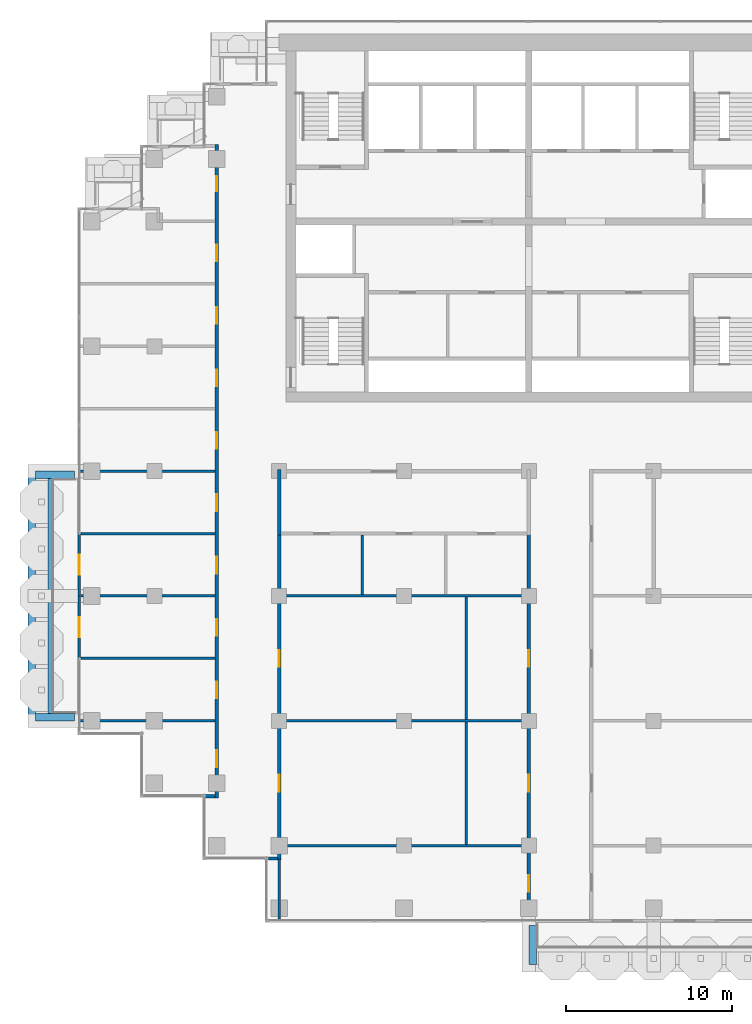
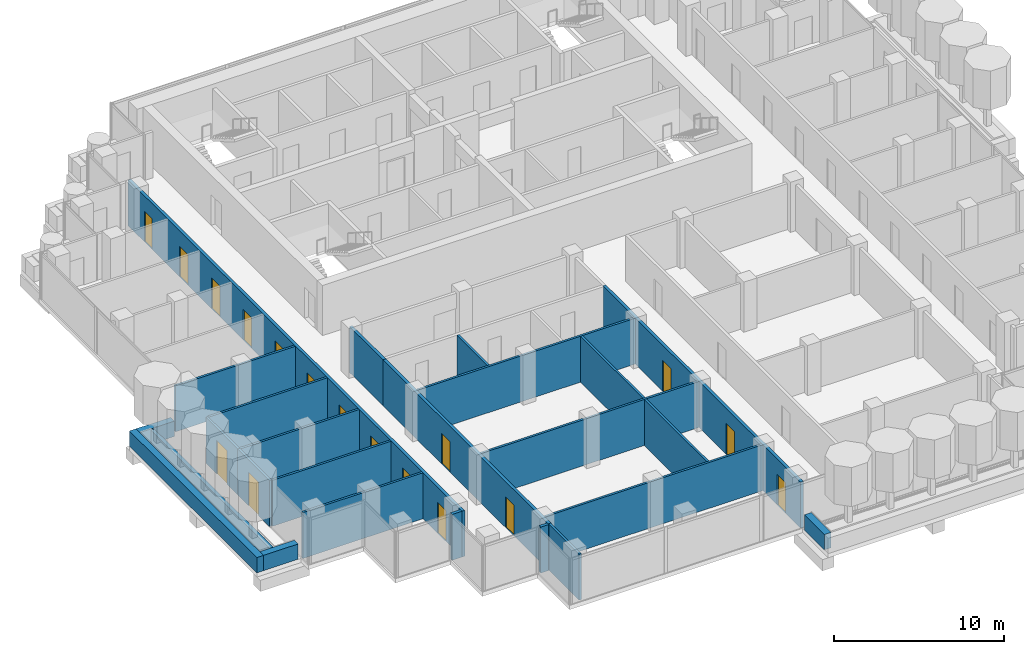
# One storey, part 11 of 19: 24 walls, 17 doors, 17 openings.
"""IFC4 building model written with IfcOpenShell, lengths in metres."""

from ifc_helpers import new_model, si_unit, direction, frame, frame_2d, origin, place, context, subcontext, project, spatial, rectangle, extrude, material, layer, layer_set, type_object, element, fill, save


model = new_model("IFC4")

# Units and contexts
model_context = context("Model", 3, precision=1e-05, world=origin(), true_north=direction((0.0, 1.0)))
body_context = subcontext(model_context, "Body", "Model", "MODEL_VIEW")
ifc_project = project(units=[si_unit("LENGTHUNIT", "METRE"), si_unit("AREAUNIT", "SQUARE_METRE"), si_unit("VOLUMEUNIT", "CUBIC_METRE"), si_unit("PLANEANGLEUNIT", "RADIAN"), si_unit("MASSUNIT", "GRAM", prefix="KILO")], contexts=[model_context])

# Site, building, storey
site_placement = place(None, origin())
site = spatial("IfcSite", under=ifc_project, at=site_placement, CompositionType="ELEMENT")
building_placement = place(site_placement, origin())
building = spatial("IfcBuilding", under=site, at=building_placement, Name="Pilkhan Gate Tower", CompositionType="ELEMENT")
storey_placement = place(building_placement, frame((0.0, 0.0, 224.699951171875)))
storey = spatial("IfcBuildingStorey", under=building, at=storey_placement, Name="L58", CompositionType="ELEMENT", Elevation=224.699951171875)

# Walls
ifc_material_1 = material(Name="Concrete C40/50", Category="concrete")
ifc_layer_1 = layer(ifc_material_1, 0.25)
ifc_layer_set_1 = layer_set([ifc_layer_1], Name="Balcony planter BP250")
wall_type_1 = type_object("IfcWallType", Name="Balcony planter BP250", PredefinedType="USERDEFINED", material=ifc_layer_set_1)
wall_1_placement = place(storey_placement, frame((46.22509765625, 52.949951171875, 0.0), z_axis=(0.0, 0.0, 1.0), x_axis=(0.0, 1.0, 0.0)))
element("IfcWall", 1, at=wall_1_placement, inside=storey, type_object=wall_type_1, Name="Balcony planter L58 W", ObjectType="BALCONY PLANTER", PredefinedType="USERDEFINED", context=body_context, shape_type="SweptSolid", body=[
    extrude(rectangle(XDim=14.10009765625, YDim=0.25, at=frame_2d((7.050048828125, 0.0))), origin(), (0.0, 0.0, 1.0), 1.0),
])
ifc_material_2 = material(Name="Board-marked Concrete C40/50", Category="concrete")
ifc_layer_2 = layer(ifc_material_2, 0.449951171875)
ifc_layer_set_2 = layer_set([ifc_layer_2], Name="Balcony planter lip BL450")
wall_type_2 = type_object("IfcWallType", Name="Balcony planter lip BL450", PredefinedType="USERDEFINED", material=ifc_layer_set_2)
wall_2_placement = place(storey_placement, frame((75.22509765625, 40.199951171875, 0.0), z_axis=(0.0, 0.0, 1.0), x_axis=(0.0, -1.0, 0.0)))
element("IfcWall", 2, at=wall_2_placement, inside=storey, type_object=wall_type_2, Name="Balcony planter L58 S", ObjectType="BALCONY PLANTER", PredefinedType="USERDEFINED", context=body_context, shape_type="SweptSolid", body=[
    extrude(rectangle(XDim=2.349853515625, YDim=0.449951171875, at=frame_2d((1.1748046875, 0.0))), origin(), (0.0, 0.0, 1.0), 1.10009765625),
])
wall_3_placement = place(storey_placement, frame((45.125, 52.5, 0.0), z_axis=(0.0, 0.0, 1.0), x_axis=(0.0, 1.0, 0.0)))
element("IfcWall", 3, at=wall_3_placement, inside=storey, type_object=wall_type_2, Name="Balcony planter L58 W", ObjectType="BALCONY PLANTER", PredefinedType="USERDEFINED", context=body_context, shape_type="SweptSolid", body=[
    extrude(rectangle(XDim=15.0, YDim=0.449951171875, at=frame_2d((7.5, 0.0))), origin(), (0.0, 0.0, 1.0), 1.10009765625),
])
for number, where, z_axis, x_axis, name in (
    (4, (47.699951171875, 52.72509765625, 0.0), (0.0, 0.0, 1.0), (-1.0, 0.0, 0.0), "Balcony planter L58 W"),
    (5, (47.699951171875, 67.27490234375, 0.0), (0.0, 0.0, 1.0), (-1.0, 0.0, 0.0), "Balcony planter L58 W"),
):
    element("IfcWall", number, at=place(storey_placement, frame(where, z_axis=z_axis, x_axis=x_axis)), inside=storey, type_object=wall_type_2, Name=name, ObjectType="BALCONY PLANTER", PredefinedType="USERDEFINED", context=body_context, shape_type="SweptSolid", body=[
        extrude(rectangle(XDim=2.349853515625, YDim=0.449951171875, at=frame_2d((1.1748046875, 0.0))), origin(), (0.0, 0.0, 1.0), 1.10009765625),
    ])
ifc_material_3 = material(Name="Dense blockwork", Category="masonry")
ifc_layer_3 = layer(ifc_material_3, 0.199951171875)
ifc_layer_set_3 = layer_set([ifc_layer_3], Name="Corridor wall FW200")
wall_type_3 = type_object("IfcWallType", Name="Corridor wall FW200", PredefinedType="PARTITIONING", material=ifc_layer_set_3)
wall_4_placement = place(storey_placement, frame((59.35498046875, 44.235107421875, 0.0), z_axis=(0.0, 0.0, 1.0), x_axis=(1.0, 0.0, 0.0)))
element("IfcWall", 6, at=wall_4_placement, inside=storey, type_object=wall_type_3, Name="Partition L58", PredefinedType="PARTITIONING", context=body_context, shape_type="SweptSolid", body=[
    extrude(rectangle(XDim=0.544921875, YDim=0.199951171875, at=frame_2d((0.2724609375, 0.0))), origin(), (0.0, 0.0, 1.0), 3.300048828125),
])
wall_5_placement = place(storey_placement, frame((55.485107421875, 47.969970703125, 0.0), z_axis=(0.0, 0.0, 1.0), x_axis=(1.0, 0.0, 0.0)))
element("IfcWall", 7, at=wall_5_placement, inside=storey, type_object=wall_type_3, Name="Partition L58", PredefinedType="PARTITIONING", context=body_context, shape_type="SweptSolid", body=[
    extrude(rectangle(XDim=0.664794921875, YDim=0.199951171875, at=frame_2d((0.33251953125, 0.0))), origin(), (0.0, 0.0, 1.0), 3.300048828125),
])

# Wall, openings, doors
wall_6_placement = place(storey_placement, frame((56.25, 47.8701171875, 0.0), z_axis=(0.0, 0.0, 1.0), x_axis=(0.0, 1.0, 0.0)))
wall_6 = element("IfcWall", 8, at=wall_6_placement, inside=storey, type_object=wall_type_3, Name="Partition L58", PredefinedType="PARTITIONING", context=body_context, shape_type="SweptSolid", body=[
    extrude(rectangle(XDim=39.259765625, YDim=0.199951171875, at=frame_2d((19.6298828125, 0.0))), origin(), (0.0, 0.0, 1.0), 3.300048828125),
])
opening_1_placement = place(wall_6_placement, frame((1.85009765625, 0.0, 0.0)))
opening_1 = element("IfcOpeningElement", 9, at=opening_1_placement, cuts=wall_6, Name="Opening L58-26", PredefinedType="OPENING", context=body_context, shape_type="SweptSolid", body=[
    extrude(rectangle(XDim=1.0, YDim=2.199951171875, at=frame_2d((0.5, 1.10009765625))), frame((0.0, 0.10986328125, 0.0), z_axis=(0.0, -1.0, 0.0), x_axis=(1.0, 0.0, 0.0)), (0.0, 0.0, 1.0), 0.219970703125),
])
opening_2_placement = place(wall_6_placement, frame((5.97998046875, 0.0, 0.0)))
opening_2 = element("IfcOpeningElement", 10, at=opening_2_placement, cuts=wall_6, Name="Opening L58-27", PredefinedType="OPENING", context=body_context, shape_type="SweptSolid", body=[
    extrude(rectangle(XDim=1.0, YDim=2.199951171875, at=frame_2d((0.5, 1.10009765625))), frame((0.0, 0.10986328125, 0.0), z_axis=(0.0, -1.0, 0.0), x_axis=(1.0, 0.0, 0.0)), (0.0, 0.0, 1.0), 0.219970703125),
])
opening_3_placement = place(wall_6_placement, frame((9.72998046875, 0.0, 0.0)))
opening_3 = element("IfcOpeningElement", 11, at=opening_3_placement, cuts=wall_6, Name="Opening L58-28", PredefinedType="OPENING", context=body_context, shape_type="SweptSolid", body=[
    extrude(rectangle(XDim=1.0, YDim=2.199951171875, at=frame_2d((0.5, 1.10009765625))), frame((0.0, 0.10986328125, 0.0), z_axis=(0.0, -1.0, 0.0), x_axis=(1.0, 0.0, 0.0)), (0.0, 0.0, 1.0), 0.219970703125),
])
opening_4_placement = place(wall_6_placement, frame((13.47998046875, 0.0, 0.0)))
opening_4 = element("IfcOpeningElement", 12, at=opening_4_placement, cuts=wall_6, Name="Opening L58-29", PredefinedType="OPENING", context=body_context, shape_type="SweptSolid", body=[
    extrude(rectangle(XDim=1.0, YDim=2.199951171875, at=frame_2d((0.5, 1.10009765625))), frame((0.0, 0.10986328125, 0.0), z_axis=(0.0, -1.0, 0.0), x_axis=(1.0, 0.0, 0.0)), (0.0, 0.0, 1.0), 0.219970703125),
])
opening_5_placement = place(wall_6_placement, frame((17.22998046875, 0.0, 0.0)))
opening_5 = element("IfcOpeningElement", 13, at=opening_5_placement, cuts=wall_6, Name="Opening L58-30", PredefinedType="OPENING", context=body_context, shape_type="SweptSolid", body=[
    extrude(rectangle(XDim=1.0, YDim=2.199951171875, at=frame_2d((0.5, 1.10009765625))), frame((0.0, 0.10986328125, 0.0), z_axis=(0.0, -1.0, 0.0), x_axis=(1.0, 0.0, 0.0)), (0.0, 0.0, 1.0), 0.219970703125),
])
opening_6_placement = place(wall_6_placement, frame((20.97998046875, 0.0, 0.0)))
opening_6 = element("IfcOpeningElement", 14, at=opening_6_placement, cuts=wall_6, Name="Opening L58-31", PredefinedType="OPENING", context=body_context, shape_type="SweptSolid", body=[
    extrude(rectangle(XDim=1.0, YDim=2.199951171875, at=frame_2d((0.5, 1.10009765625))), frame((0.0, 0.10986328125, 0.0), z_axis=(0.0, -1.0, 0.0), x_axis=(1.0, 0.0, 0.0)), (0.0, 0.0, 1.0), 0.219970703125),
])
opening_7_placement = place(wall_6_placement, frame((24.72998046875, 0.0, 0.0)))
opening_7 = element("IfcOpeningElement", 15, at=opening_7_placement, cuts=wall_6, Name="Opening L58-32", PredefinedType="OPENING", context=body_context, shape_type="SweptSolid", body=[
    extrude(rectangle(XDim=1.0, YDim=2.199951171875, at=frame_2d((0.5, 1.10009765625))), frame((0.0, 0.10986328125, 0.0), z_axis=(0.0, -1.0, 0.0), x_axis=(1.0, 0.0, 0.0)), (0.0, 0.0, 1.0), 0.219970703125),
])
opening_8_placement = place(wall_6_placement, frame((28.47998046875, 0.0, 0.0)))
opening_8 = element("IfcOpeningElement", 16, at=opening_8_placement, cuts=wall_6, Name="Opening L58-40", PredefinedType="OPENING", context=body_context, shape_type="SweptSolid", body=[
    extrude(rectangle(XDim=1.0, YDim=2.199951171875, at=frame_2d((0.5, 1.10009765625))), frame((0.0, 0.10986328125, 0.0), z_axis=(0.0, -1.0, 0.0), x_axis=(1.0, 0.0, 0.0)), (0.0, 0.0, 1.0), 0.219970703125),
])
opening_9_placement = place(wall_6_placement, frame((32.22998046875, 0.0, 0.0)))
opening_9 = element("IfcOpeningElement", 17, at=opening_9_placement, cuts=wall_6, Name="Opening L58-41", PredefinedType="OPENING", context=body_context, shape_type="SweptSolid", body=[
    extrude(rectangle(XDim=1.0, YDim=2.199951171875, at=frame_2d((0.5, 1.10009765625))), frame((0.0, 0.10986328125, 0.0), z_axis=(0.0, -1.0, 0.0), x_axis=(1.0, 0.0, 0.0)), (0.0, 0.0, 1.0), 0.219970703125),
])
opening_10_placement = place(wall_6_placement, frame((36.429931640625, 0.0, 0.0)))
opening_10 = element("IfcOpeningElement", 18, at=opening_10_placement, cuts=wall_6, Name="Opening L58-42", PredefinedType="OPENING", context=body_context, shape_type="SweptSolid", body=[
    extrude(rectangle(XDim=0.89990234375, YDim=2.199951171875, at=frame_2d((0.449951171875, 1.10009765625))), frame((0.0, 0.10986328125, 0.0), z_axis=(0.0, -1.0, 0.0), x_axis=(1.0, 0.0, 0.0)), (0.0, 0.0, 1.0), 0.219970703125),
])
ifc_material_4 = material(Name="Timber flush door, 30 minute fire resisting", Category="wood")
door_type_1 = type_object("IfcDoorType", Name="Room door D03 1000x2200", OperationType="SINGLE_SWING_LEFT", PredefinedType="DOOR", material=ifc_material_4)
door_1_placement = place(opening_1_placement, origin())
door_1 = element("IfcDoor", 19, at=door_1_placement, inside=storey, type_object=door_type_1, Name="Room door", OperationType="SINGLE_SWING_LEFT", OverallHeight=2.199951171875, OverallWidth=1.0, PredefinedType="DOOR", context=body_context, shape_type="SweptSolid", body=[
    extrude(rectangle(XDim=1.0, YDim=2.199951171875, at=frame_2d((0.5, 1.10009765625))), frame((0.0, 0.02490234375, 0.0), z_axis=(0.0, -1.0, 0.0), x_axis=(1.0, 0.0, 0.0)), (0.0, 0.0, 1.0), 0.050048828125),
])
fill(opening_1, door_1)
door_2_placement = place(opening_2_placement, origin())
door_2 = element("IfcDoor", 20, at=door_2_placement, inside=storey, type_object=door_type_1, Name="Room door", OperationType="SINGLE_SWING_LEFT", OverallHeight=2.199951171875, OverallWidth=1.0, PredefinedType="DOOR", context=body_context, shape_type="SweptSolid", body=[
    extrude(rectangle(XDim=1.0, YDim=2.199951171875, at=frame_2d((0.5, 1.10009765625))), frame((0.0, 0.02490234375, 0.0), z_axis=(0.0, -1.0, 0.0), x_axis=(1.0, 0.0, 0.0)), (0.0, 0.0, 1.0), 0.050048828125),
])
fill(opening_2, door_2)
door_3_placement = place(opening_3_placement, origin())
door_3 = element("IfcDoor", 21, at=door_3_placement, inside=storey, type_object=door_type_1, Name="Room door", OperationType="SINGLE_SWING_LEFT", OverallHeight=2.199951171875, OverallWidth=1.0, PredefinedType="DOOR", context=body_context, shape_type="SweptSolid", body=[
    extrude(rectangle(XDim=1.0, YDim=2.199951171875, at=frame_2d((0.5, 1.10009765625))), frame((0.0, 0.02490234375, 0.0), z_axis=(0.0, -1.0, 0.0), x_axis=(1.0, 0.0, 0.0)), (0.0, 0.0, 1.0), 0.050048828125),
])
fill(opening_3, door_3)
door_4_placement = place(opening_4_placement, origin())
door_4 = element("IfcDoor", 22, at=door_4_placement, inside=storey, type_object=door_type_1, Name="Room door", OperationType="SINGLE_SWING_LEFT", OverallHeight=2.199951171875, OverallWidth=1.0, PredefinedType="DOOR", context=body_context, shape_type="SweptSolid", body=[
    extrude(rectangle(XDim=1.0, YDim=2.199951171875, at=frame_2d((0.5, 1.10009765625))), frame((0.0, 0.02490234375, 0.0), z_axis=(0.0, -1.0, 0.0), x_axis=(1.0, 0.0, 0.0)), (0.0, 0.0, 1.0), 0.050048828125),
])
fill(opening_4, door_4)
door_5_placement = place(opening_5_placement, origin())
door_5 = element("IfcDoor", 23, at=door_5_placement, inside=storey, type_object=door_type_1, Name="Room door", OperationType="SINGLE_SWING_LEFT", OverallHeight=2.199951171875, OverallWidth=1.0, PredefinedType="DOOR", context=body_context, shape_type="SweptSolid", body=[
    extrude(rectangle(XDim=1.0, YDim=2.199951171875, at=frame_2d((0.5, 1.10009765625))), frame((0.0, 0.02490234375, 0.0), z_axis=(0.0, -1.0, 0.0), x_axis=(1.0, 0.0, 0.0)), (0.0, 0.0, 1.0), 0.050048828125),
])
fill(opening_5, door_5)
door_6_placement = place(opening_6_placement, origin())
door_6 = element("IfcDoor", 24, at=door_6_placement, inside=storey, type_object=door_type_1, Name="Room door", OperationType="SINGLE_SWING_LEFT", OverallHeight=2.199951171875, OverallWidth=1.0, PredefinedType="DOOR", context=body_context, shape_type="SweptSolid", body=[
    extrude(rectangle(XDim=1.0, YDim=2.199951171875, at=frame_2d((0.5, 1.10009765625))), frame((0.0, 0.02490234375, 0.0), z_axis=(0.0, -1.0, 0.0), x_axis=(1.0, 0.0, 0.0)), (0.0, 0.0, 1.0), 0.050048828125),
])
fill(opening_6, door_6)
door_7_placement = place(opening_7_placement, origin())
door_7 = element("IfcDoor", 25, at=door_7_placement, inside=storey, type_object=door_type_1, Name="Room door", OperationType="SINGLE_SWING_LEFT", OverallHeight=2.199951171875, OverallWidth=1.0, PredefinedType="DOOR", context=body_context, shape_type="SweptSolid", body=[
    extrude(rectangle(XDim=1.0, YDim=2.199951171875, at=frame_2d((0.5, 1.10009765625))), frame((0.0, 0.02490234375, 0.0), z_axis=(0.0, -1.0, 0.0), x_axis=(1.0, 0.0, 0.0)), (0.0, 0.0, 1.0), 0.050048828125),
])
fill(opening_7, door_7)
door_8_placement = place(opening_8_placement, origin())
door_8 = element("IfcDoor", 26, at=door_8_placement, inside=storey, type_object=door_type_1, Name="Room door", OperationType="SINGLE_SWING_LEFT", OverallHeight=2.199951171875, OverallWidth=1.0, PredefinedType="DOOR", context=body_context, shape_type="SweptSolid", body=[
    extrude(rectangle(XDim=1.0, YDim=2.199951171875, at=frame_2d((0.5, 1.10009765625))), frame((0.0, 0.02490234375, 0.0), z_axis=(0.0, -1.0, 0.0), x_axis=(1.0, 0.0, 0.0)), (0.0, 0.0, 1.0), 0.050048828125),
])
fill(opening_8, door_8)
door_9_placement = place(opening_9_placement, origin())
door_9 = element("IfcDoor", 27, at=door_9_placement, inside=storey, type_object=door_type_1, Name="Room door", OperationType="SINGLE_SWING_RIGHT", OverallHeight=2.199951171875, OverallWidth=1.0, PredefinedType="DOOR", context=body_context, shape_type="SweptSolid", body=[
    extrude(rectangle(XDim=1.0, YDim=2.199951171875, at=frame_2d((0.5, 1.10009765625))), frame((0.0, 0.02490234375, 0.0), z_axis=(0.0, -1.0, 0.0), x_axis=(1.0, 0.0, 0.0)), (0.0, 0.0, 1.0), 0.050048828125),
])
fill(opening_9, door_9)
ifc_material_5 = material(Name="Timber flush door, 60 minute fire resisting, self-closing", Category="wood")
door_type_2 = type_object("IfcDoorType", Name="Store door D05 900x2200", OperationType="SINGLE_SWING_LEFT", PredefinedType="DOOR", material=ifc_material_5)
door_10_placement = place(opening_10_placement, origin())
door_10 = element("IfcDoor", 28, at=door_10_placement, inside=storey, type_object=door_type_2, Name="Store door", OperationType="SINGLE_SWING_RIGHT", OverallHeight=2.199951171875, OverallWidth=0.89990234375, PredefinedType="DOOR", context=body_context, shape_type="SweptSolid", body=[
    extrude(rectangle(XDim=0.89990234375, YDim=2.199951171875, at=frame_2d((0.449951171875, 1.10009765625))), frame((0.0, 0.02490234375, 0.0), z_axis=(0.0, -1.0, 0.0), x_axis=(1.0, 0.0, 0.0)), (0.0, 0.0, 1.0), 0.050048828125),
])
fill(opening_10, door_10)

wall_7_placement = place(storey_placement, frame((60.0, 44.135009765625, 0.0), z_axis=(0.0, 0.0, 1.0), x_axis=(0.0, 1.0, 0.0)))
wall_7 = element("IfcWall", 29, at=wall_7_placement, inside=storey, type_object=wall_type_3, Name="Partition L58", PredefinedType="PARTITIONING", context=body_context, shape_type="SweptSolid", body=[
    extrude(rectangle(XDim=19.614990234375, YDim=0.199951171875, at=frame_2d((9.8076171875, 0.0))), origin(), (0.0, 0.0, 1.0), 3.300048828125),
])
opening_11_placement = place(wall_7_placement, frame((4.114990234375, 0.0, 0.0)))
opening_11 = element("IfcOpeningElement", 30, at=opening_11_placement, cuts=wall_7, Name="Opening L58-17", PredefinedType="OPENING", context=body_context, shape_type="SweptSolid", body=[
    extrude(rectangle(XDim=1.0, YDim=2.199951171875, at=frame_2d((0.5, 1.10009765625))), frame((0.0, 0.10986328125, 0.0), z_axis=(0.0, -1.0, 0.0), x_axis=(1.0, 0.0, 0.0)), (0.0, 0.0, 1.0), 0.219970703125),
])
opening_12_placement = place(wall_7_placement, frame((11.614990234375, 0.0, 0.0)))
opening_12 = element("IfcOpeningElement", 31, at=opening_12_placement, cuts=wall_7, Name="Opening L58-19", PredefinedType="OPENING", context=body_context, shape_type="SweptSolid", body=[
    extrude(rectangle(XDim=1.0, YDim=2.199951171875, at=frame_2d((0.5, 1.10009765625))), frame((0.0, 0.10986328125, 0.0), z_axis=(0.0, -1.0, 0.0), x_axis=(1.0, 0.0, 0.0)), (0.0, 0.0, 1.0), 0.219970703125),
])
door_11_placement = place(opening_11_placement, origin())
door_11 = element("IfcDoor", 32, at=door_11_placement, inside=storey, type_object=door_type_1, Name="Room door", OperationType="SINGLE_SWING_LEFT", OverallHeight=2.199951171875, OverallWidth=1.0, PredefinedType="DOOR", context=body_context, shape_type="SweptSolid", body=[
    extrude(rectangle(XDim=1.0, YDim=2.199951171875, at=frame_2d((0.5, 1.10009765625))), frame((0.0, 0.02490234375, 0.0), z_axis=(0.0, -1.0, 0.0), x_axis=(1.0, 0.0, 0.0)), (0.0, 0.0, 1.0), 0.050048828125),
])
fill(opening_11, door_11)
door_12_placement = place(opening_12_placement, origin())
door_12 = element("IfcDoor", 33, at=door_12_placement, inside=storey, type_object=door_type_1, Name="Room door", OperationType="SINGLE_SWING_LEFT", OverallHeight=2.199951171875, OverallWidth=1.0, PredefinedType="DOOR", context=body_context, shape_type="SweptSolid", body=[
    extrude(rectangle(XDim=1.0, YDim=2.199951171875, at=frame_2d((0.5, 1.10009765625))), frame((0.0, 0.02490234375, 0.0), z_axis=(0.0, -1.0, 0.0), x_axis=(1.0, 0.0, 0.0)), (0.0, 0.0, 1.0), 0.050048828125),
])
fill(opening_12, door_12)

wall_8_placement = place(storey_placement, frame((75.0, 40.485107421875, 0.0), z_axis=(0.0, 0.0, 1.0), x_axis=(0.0, 1.0, 0.0)))
wall_8 = element("IfcWall", 34, at=wall_8_placement, inside=storey, type_object=wall_type_3, Name="Partition L58", PredefinedType="PARTITIONING", context=body_context, shape_type="SweptSolid", body=[
    extrude(rectangle(XDim=23.264892578125, YDim=0.199951171875, at=frame_2d((11.63232421875, 0.0))), origin(), (0.0, 0.0, 1.0), 3.300048828125),
])
opening_13_placement = place(wall_8_placement, frame((1.75, 0.0, 0.0)))
opening_13 = element("IfcOpeningElement", 35, at=opening_13_placement, cuts=wall_8, Name="Opening L58-16", PredefinedType="OPENING", context=body_context, shape_type="SweptSolid", body=[
    extrude(rectangle(XDim=1.0, YDim=2.199951171875, at=frame_2d((0.5, 1.10009765625))), frame((0.0, 0.10986328125, 0.0), z_axis=(0.0, -1.0, 0.0), x_axis=(1.0, 0.0, 0.0)), (0.0, 0.0, 1.0), 0.219970703125),
])
opening_14_placement = place(wall_8_placement, frame((7.764892578125, 0.0, 0.0)))
opening_14 = element("IfcOpeningElement", 36, at=opening_14_placement, cuts=wall_8, Name="Opening L58-18", PredefinedType="OPENING", context=body_context, shape_type="SweptSolid", body=[
    extrude(rectangle(XDim=1.0, YDim=2.199951171875, at=frame_2d((0.5, 1.10009765625))), frame((0.0, 0.10986328125, 0.0), z_axis=(0.0, -1.0, 0.0), x_axis=(1.0, 0.0, 0.0)), (0.0, 0.0, 1.0), 0.219970703125),
])
opening_15_placement = place(wall_8_placement, frame((15.264892578125, 0.0, 0.0)))
opening_15 = element("IfcOpeningElement", 37, at=opening_15_placement, cuts=wall_8, Name="Opening L58-20", PredefinedType="OPENING", context=body_context, shape_type="SweptSolid", body=[
    extrude(rectangle(XDim=1.0, YDim=2.199951171875, at=frame_2d((0.5, 1.10009765625))), frame((0.0, 0.10986328125, 0.0), z_axis=(0.0, -1.0, 0.0), x_axis=(1.0, 0.0, 0.0)), (0.0, 0.0, 1.0), 0.219970703125),
])
door_13_placement = place(opening_13_placement, origin())
door_13 = element("IfcDoor", 38, at=door_13_placement, inside=storey, type_object=door_type_1, Name="Room door", OperationType="SINGLE_SWING_LEFT", OverallHeight=2.199951171875, OverallWidth=1.0, PredefinedType="DOOR", context=body_context, shape_type="SweptSolid", body=[
    extrude(rectangle(XDim=1.0, YDim=2.199951171875, at=frame_2d((0.5, 1.10009765625))), frame((0.0, 0.02490234375, 0.0), z_axis=(0.0, -1.0, 0.0), x_axis=(1.0, 0.0, 0.0)), (0.0, 0.0, 1.0), 0.050048828125),
])
fill(opening_13, door_13)
door_14_placement = place(opening_14_placement, origin())
door_14 = element("IfcDoor", 39, at=door_14_placement, inside=storey, type_object=door_type_1, Name="Room door", OperationType="SINGLE_SWING_LEFT", OverallHeight=2.199951171875, OverallWidth=1.0, PredefinedType="DOOR", context=body_context, shape_type="SweptSolid", body=[
    extrude(rectangle(XDim=1.0, YDim=2.199951171875, at=frame_2d((0.5, 1.10009765625))), frame((0.0, 0.02490234375, 0.0), z_axis=(0.0, -1.0, 0.0), x_axis=(1.0, 0.0, 0.0)), (0.0, 0.0, 1.0), 0.050048828125),
])
fill(opening_14, door_14)
door_15_placement = place(opening_15_placement, origin())
door_15 = element("IfcDoor", 40, at=door_15_placement, inside=storey, type_object=door_type_1, Name="Room door", OperationType="SINGLE_SWING_LEFT", OverallHeight=2.199951171875, OverallWidth=1.0, PredefinedType="DOOR", context=body_context, shape_type="SweptSolid", body=[
    extrude(rectangle(XDim=1.0, YDim=2.199951171875, at=frame_2d((0.5, 1.10009765625))), frame((0.0, 0.02490234375, 0.0), z_axis=(0.0, -1.0, 0.0), x_axis=(1.0, 0.0, 0.0)), (0.0, 0.0, 1.0), 0.050048828125),
])
fill(opening_15, door_15)

# Wall, opening, door
ifc_material_6 = material(Name="Pale anodised aluminium, clear laminated glazing", Category="aluminium")
ifc_layer_4 = layer(ifc_material_6, 0.14990234375)
ifc_layer_set_4 = layer_set([ifc_layer_4], Name="Facade infill wall IW150")
wall_type_4 = type_object("IfcWallType", Name="Facade infill wall IW150", PredefinedType="SOLIDWALL", material=ifc_layer_set_4)
wall_9_placement = place(storey_placement, frame((48.0, 56.25, 0.0), z_axis=(0.0, 0.0, 1.0), x_axis=(0.0, 1.0, 0.0)))
wall_9 = element("IfcWall", 41, at=wall_9_placement, inside=storey, type_object=wall_type_4, Name="Infill wall L58 W", PredefinedType="SOLIDWALL", context=body_context, shape_type="SweptSolid", body=[
    extrude(rectangle(XDim=3.75, YDim=0.14990234375, at=frame_2d((1.875, 0.0))), origin(), (0.0, 0.0, 1.0), 3.300048828125),
])
opening_16_placement = place(wall_9_placement, frame((1.27490234375, 0.0, 0.0)))
opening_16 = element("IfcOpeningElement", 42, at=opening_16_placement, cuts=wall_9, Name="Opening D1", PredefinedType="OPENING", context=body_context, shape_type="SweptSolid", body=[
    extrude(rectangle(XDim=1.199951171875, YDim=2.39990234375, at=frame_2d((0.60009765625, 1.199951171875))), frame((0.0, 0.0849609375, 0.0), z_axis=(0.0, -1.0, 0.0), x_axis=(1.0, 0.0, 0.0)), (0.0, 0.0, 1.0), 0.169921875),
])
ifc_material_7 = material(Name="Pale anodised aluminium, clear glazing", Category="aluminium")
door_type_3 = type_object("IfcDoorType", Name="Balcony door D1 1200x2400", OperationType="SINGLE_SWING_LEFT", PredefinedType="DOOR", material=ifc_material_7)
door_16_placement = place(opening_16_placement, origin())
door_16 = element("IfcDoor", 43, at=door_16_placement, inside=storey, type_object=door_type_3, Name="Balcony door L58", OperationType="SINGLE_SWING_LEFT", OverallHeight=2.39990234375, OverallWidth=1.199951171875, PredefinedType="DOOR", context=body_context, shape_type="SweptSolid", body=[
    extrude(rectangle(XDim=1.199951171875, YDim=2.39990234375, at=frame_2d((0.60009765625, 1.199951171875))), frame((0.0, 0.02490234375, 0.0), z_axis=(0.0, -1.0, 0.0), x_axis=(1.0, 0.0, 0.0)), (0.0, 0.0, 1.0), 0.050048828125),
])
fill(opening_16, door_16)

wall_10_placement = place(storey_placement, frame((48.0, 60.0, 0.0), z_axis=(0.0, 0.0, 1.0), x_axis=(0.0, 1.0, 0.0)))
wall_10 = element("IfcWall", 44, at=wall_10_placement, inside=storey, type_object=wall_type_4, Name="Infill wall L58 W", PredefinedType="SOLIDWALL", context=body_context, shape_type="SweptSolid", body=[
    extrude(rectangle(XDim=3.75, YDim=0.14990234375, at=frame_2d((1.875, 0.0))), origin(), (0.0, 0.0, 1.0), 3.300048828125),
])
opening_17_placement = place(wall_10_placement, frame((1.27490234375, 0.0, 0.0)))
opening_17 = element("IfcOpeningElement", 45, at=opening_17_placement, cuts=wall_10, Name="Opening D1", PredefinedType="OPENING", context=body_context, shape_type="SweptSolid", body=[
    extrude(rectangle(XDim=1.199951171875, YDim=2.39990234375, at=frame_2d((0.60009765625, 1.199951171875))), frame((0.0, 0.0849609375, 0.0), z_axis=(0.0, -1.0, 0.0), x_axis=(1.0, 0.0, 0.0)), (0.0, 0.0, 1.0), 0.169921875),
])
door_17_placement = place(opening_17_placement, origin())
door_17 = element("IfcDoor", 46, at=door_17_placement, inside=storey, type_object=door_type_3, Name="Balcony door L58", OperationType="SINGLE_SWING_LEFT", OverallHeight=2.39990234375, OverallWidth=1.199951171875, PredefinedType="DOOR", context=body_context, shape_type="SweptSolid", body=[
    extrude(rectangle(XDim=1.199951171875, YDim=2.39990234375, at=frame_2d((0.60009765625, 1.199951171875))), frame((0.0, 0.02490234375, 0.0), z_axis=(0.0, -1.0, 0.0), x_axis=(1.0, 0.0, 0.0)), (0.0, 0.0, 1.0), 0.050048828125),
])
fill(opening_17, door_17)

# Walls
ifc_layer_5 = layer(ifc_material_3, 0.199951171875)
ifc_layer_set_5 = layer_set([ifc_layer_5], Name="Lobby wall LW200")
wall_type_5 = type_object("IfcWallType", Name="Lobby wall LW200", PredefinedType="PARTITIONING", material=ifc_layer_set_5)
wall_11_placement = place(storey_placement, frame((60.0, 63.64990234375, 0.0), z_axis=(0.0, 0.0, 1.0), x_axis=(0.0, 1.0, 0.0)))
element("IfcWall", 47, at=wall_11_placement, inside=storey, type_object=wall_type_5, Name="Partition L58", PredefinedType="PARTITIONING", context=body_context, shape_type="SweptSolid", body=[
    extrude(rectangle(XDim=3.9501953125, YDim=0.199951171875, at=frame_2d((1.97509765625, 0.0))), origin(), (0.0, 0.0, 1.0), 3.300048828125),
])
ifc_material_8 = material(Name="Blockwork partition, plastered both sides", Category="masonry")
ifc_layer_6 = layer(ifc_material_8, 0.14990234375)
ifc_layer_set_6 = layer_set([ifc_layer_6], Name="Partition PW150")
wall_type_6 = type_object("IfcWallType", Name="Partition PW150", PredefinedType="PARTITIONING", material=ifc_layer_set_6)
wall_12_placement = place(storey_placement, frame((60.10009765625, 45.0, 0.0), z_axis=(0.0, 0.0, 1.0), x_axis=(1.0, 0.0, 0.0)))
element("IfcWall", 48, at=wall_12_placement, inside=storey, type_object=wall_type_6, Name="Partition L58", PredefinedType="PARTITIONING", context=body_context, shape_type="SweptSolid", body=[
    extrude(rectangle(XDim=14.7998046875, YDim=0.14990234375, at=frame_2d((7.39990234375, 0.0))), origin(), (0.0, 0.0, 1.0), 3.300048828125),
])
wall_13_placement = place(storey_placement, frame((47.985107421875, 52.5, 0.0), z_axis=(0.0, 0.0, 1.0), x_axis=(1.0, 0.0, 0.0)))
element("IfcWall", 49, at=wall_13_placement, inside=storey, type_object=wall_type_6, Name="Partition L58", PredefinedType="PARTITIONING", context=body_context, shape_type="SweptSolid", body=[
    extrude(rectangle(XDim=8.164794921875, YDim=0.14990234375, at=frame_2d((4.08251953125, 0.0))), origin(), (0.0, 0.0, 1.0), 3.300048828125),
])
wall_14_placement = place(storey_placement, frame((60.10009765625, 52.5, 0.0), z_axis=(0.0, 0.0, 1.0), x_axis=(1.0, 0.0, 0.0)))
element("IfcWall", 50, at=wall_14_placement, inside=storey, type_object=wall_type_6, Name="Partition L58", PredefinedType="PARTITIONING", context=body_context, shape_type="SweptSolid", body=[
    extrude(rectangle(XDim=14.7998046875, YDim=0.14990234375, at=frame_2d((7.39990234375, 0.0))), origin(), (0.0, 0.0, 1.0), 3.300048828125),
])
for number, where, z_axis, x_axis, name in (
    (51, (48.0849609375, 56.25, 0.0), (0.0, 0.0, 1.0), (1.0, 0.0, 0.0), "Partition L58"),
    (52, (48.0849609375, 60.0, 0.0), (0.0, 0.0, 1.0), (1.0, 0.0, 0.0), "Partition L58"),
):
    element("IfcWall", number, at=place(storey_placement, frame(where, z_axis=z_axis, x_axis=x_axis)), inside=storey, type_object=wall_type_6, Name=name, PredefinedType="PARTITIONING", context=body_context, shape_type="SweptSolid", body=[
        extrude(rectangle(XDim=8.06494140625, YDim=0.14990234375, at=frame_2d((4.032470703125, 0.0))), origin(), (0.0, 0.0, 1.0), 3.300048828125),
    ])
wall_15_placement = place(storey_placement, frame((60.10009765625, 60.0, 0.0), z_axis=(0.0, 0.0, 1.0), x_axis=(1.0, 0.0, 0.0)))
element("IfcWall", 53, at=wall_15_placement, inside=storey, type_object=wall_type_6, Name="Partition L58", PredefinedType="PARTITIONING", context=body_context, shape_type="SweptSolid", body=[
    extrude(rectangle(XDim=14.7998046875, YDim=0.14990234375, at=frame_2d((7.39990234375, 0.0))), origin(), (0.0, 0.0, 1.0), 3.300048828125),
])
wall_16_placement = place(storey_placement, frame((48.0849609375, 63.75, 0.0), z_axis=(0.0, 0.0, 1.0), x_axis=(1.0, 0.0, 0.0)))
element("IfcWall", 54, at=wall_16_placement, inside=storey, type_object=wall_type_6, Name="Partition L58", PredefinedType="PARTITIONING", context=body_context, shape_type="SweptSolid", body=[
    extrude(rectangle(XDim=8.06494140625, YDim=0.14990234375, at=frame_2d((4.032470703125, 0.0))), origin(), (0.0, 0.0, 1.0), 3.300048828125),
])
wall_17_placement = place(storey_placement, frame((47.985107421875, 67.5, 0.0), z_axis=(0.0, 0.0, 1.0), x_axis=(1.0, 0.0, 0.0)))
element("IfcWall", 55, at=wall_17_placement, inside=storey, type_object=wall_type_6, Name="Partition L58", PredefinedType="PARTITIONING", context=body_context, shape_type="SweptSolid", body=[
    extrude(rectangle(XDim=8.164794921875, YDim=0.14990234375, at=frame_2d((4.08251953125, 0.0))), origin(), (0.0, 0.0, 1.0), 3.300048828125),
])
wall_18_placement = place(storey_placement, frame((60.0, 40.60498046875, 0.0), z_axis=(0.0, 0.0, 1.0), x_axis=(0.0, 1.0, 0.0)))
element("IfcWall", 56, at=wall_18_placement, inside=storey, type_object=wall_type_6, Name="Partition L58", PredefinedType="PARTITIONING", context=body_context, shape_type="SweptSolid", body=[
    extrude(rectangle(XDim=3.60009765625, YDim=0.14990234375, at=frame_2d((1.800048828125, 0.0))), origin(), (0.0, 0.0, 1.0), 3.300048828125),
])
wall_19_placement = place(storey_placement, frame((65.0, 60.074951171875, 0.0), z_axis=(0.0, 0.0, 1.0), x_axis=(0.0, 1.0, 0.0)))
element("IfcWall", 57, at=wall_19_placement, inside=storey, type_object=wall_type_6, Name="Partition L58", PredefinedType="PARTITIONING", context=body_context, shape_type="SweptSolid", body=[
    extrude(rectangle(XDim=3.574951171875, YDim=0.14990234375, at=frame_2d((1.78759765625, 0.0))), origin(), (0.0, 0.0, 1.0), 3.300048828125),
])
wall_20_placement = place(storey_placement, frame((71.25, 45.074951171875, 0.0), z_axis=(0.0, 0.0, 1.0), x_axis=(0.0, 1.0, 0.0)))
element("IfcWall", 58, at=wall_20_placement, inside=storey, type_object=wall_type_6, Name="Partition L58", PredefinedType="PARTITIONING", context=body_context, shape_type="SweptSolid", body=[
    extrude(rectangle(XDim=14.85009765625, YDim=0.14990234375, at=frame_2d((7.425048828125, 0.0))), origin(), (0.0, 0.0, 1.0), 3.300048828125),
])

save(model, "model.ifc")
